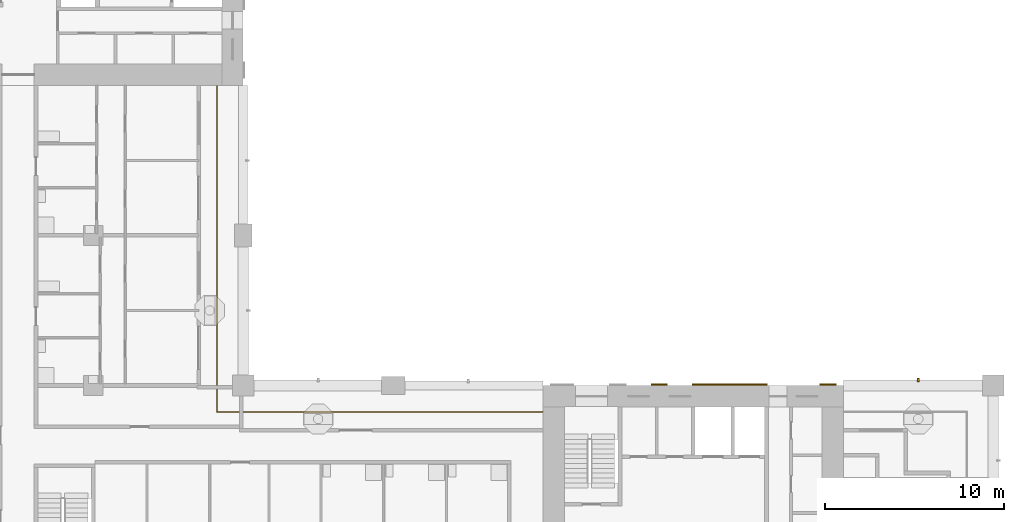
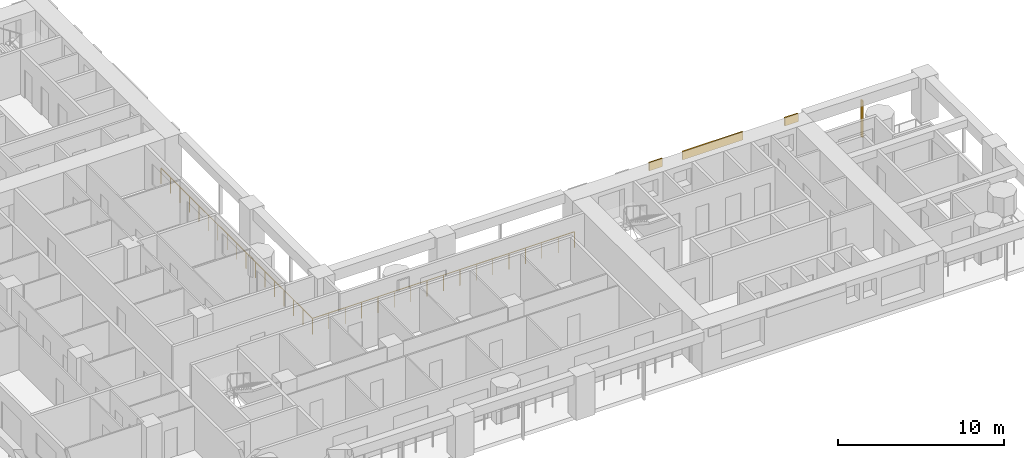
# One storey, part 14 of 19: 4 shading devices, 1 railing.
"""IFC4 building model written with IfcOpenShell, lengths in metres."""

from ifc_helpers import new_model, si_unit, direction, frame, origin, origin_2d, place, context, subcontext, project, spatial, rectangle, circle, extrude, material, layer, layer_set, material_profile, profile_set, type_object, element, save


model = new_model("IFC4")

# Units and contexts
model_context = context("Model", 3, precision=1e-05, world=origin(), true_north=direction((0.0, 1.0)))
body_context = subcontext(model_context, "Body", "Model", "MODEL_VIEW")
ifc_project = project(units=[si_unit("LENGTHUNIT", "METRE"), si_unit("AREAUNIT", "SQUARE_METRE"), si_unit("VOLUMEUNIT", "CUBIC_METRE"), si_unit("PLANEANGLEUNIT", "RADIAN"), si_unit("MASSUNIT", "GRAM", prefix="KILO")], contexts=[model_context])

# Site, building, storey
site_placement = place(None, origin())
site = spatial("IfcSite", under=ifc_project, at=site_placement, CompositionType="ELEMENT")
building_placement = place(site_placement, origin())
building = spatial("IfcBuilding", under=site, at=building_placement, Name="Vermilion Gate Residences", CompositionType="ELEMENT")
storey_placement = place(building_placement, frame((0.0, 0.0, 123.199951171875)))
storey = spatial("IfcBuildingStorey", under=building, at=storey_placement, Name="L31", CompositionType="ELEMENT", Elevation=123.199951171875)

# Railing
ifc_material_1 = material(Name="Stainless steel and toughened glass", Category="steel")
railing_type = type_object("IfcRailingType", Name="LOGGIA GUARD STEEL AND GLASS 1200", PredefinedType="GUARDRAIL", material=ifc_material_1)
railing_placement = place(storey_placement, frame((41.97802734375, 23.72509765625, 0.0)))
element("IfcRailing", 1, at=railing_placement, inside=storey, type_object=railing_type, Name="Loggia guard", PredefinedType="GUARDRAIL", context=body_context, shape_type="SweptSolid", body=[
    extrude(circle(Radius=0.030029296875, at=origin_2d()), frame((0.0, 0.0, 1.169921875), z_axis=(-1.0, 0.0, 0.0), x_axis=(0.0, -1.0, 0.0)), (0.0, 0.0, 1.0), 18.2529296875),
    extrude(circle(Radius=0.030029296875, at=origin_2d()), frame((-18.2529296875, 0.0, 1.169921875), z_axis=(0.0, 1.0, 0.0), x_axis=(-1.0, 0.0, 0.0)), (0.0, 0.0, 1.0), 18.2529296875),
    extrude(circle(Radius=0.02490234375, at=origin_2d()), origin(), (0.0, 0.0, 1.0), 1.139892578125),
    extrude(circle(Radius=0.02490234375, at=origin_2d()), frame((-1.140869140625, 0.0, 0.0)), (0.0, 0.0, 1.0), 1.139892578125),
    extrude(circle(Radius=0.02490234375, at=origin_2d()), frame((-2.28173828125, 0.0, 0.0)), (0.0, 0.0, 1.0), 1.139892578125),
    extrude(circle(Radius=0.02490234375, at=origin_2d()), frame((-3.42236328125, 0.0, 0.0)), (0.0, 0.0, 1.0), 1.139892578125),
    extrude(circle(Radius=0.02490234375, at=origin_2d()), frame((-4.563232421875, 0.0, 0.0)), (0.0, 0.0, 1.0), 1.139892578125),
    extrude(circle(Radius=0.02490234375, at=origin_2d()), frame((-5.7041015625, 0.0, 0.0)), (0.0, 0.0, 1.0), 1.139892578125),
    extrude(circle(Radius=0.02490234375, at=origin_2d()), frame((-6.8447265625, 0.0, 0.0)), (0.0, 0.0, 1.0), 1.139892578125),
    extrude(circle(Radius=0.02490234375, at=origin_2d()), frame((-7.985595703125, 0.0, 0.0)), (0.0, 0.0, 1.0), 1.139892578125),
    extrude(circle(Radius=0.02490234375, at=origin_2d()), frame((-9.12646484375, 0.0, 0.0)), (0.0, 0.0, 1.0), 1.139892578125),
    extrude(circle(Radius=0.02490234375, at=origin_2d()), frame((-10.267333984375, 0.0, 0.0)), (0.0, 0.0, 1.0), 1.139892578125),
    extrude(circle(Radius=0.02490234375, at=origin_2d()), frame((-11.408203125, 0.0, 0.0)), (0.0, 0.0, 1.0), 1.139892578125),
    extrude(circle(Radius=0.02490234375, at=origin_2d()), frame((-12.548828125, 0.0, 0.0)), (0.0, 0.0, 1.0), 1.139892578125),
    extrude(circle(Radius=0.02490234375, at=origin_2d()), frame((-13.689697265625, 0.0, 0.0)), (0.0, 0.0, 1.0), 1.139892578125),
    extrude(circle(Radius=0.02490234375, at=origin_2d()), frame((-14.83056640625, 0.0, 0.0)), (0.0, 0.0, 1.0), 1.139892578125),
    extrude(circle(Radius=0.02490234375, at=origin_2d()), frame((-15.97119140625, 0.0, 0.0)), (0.0, 0.0, 1.0), 1.139892578125),
    extrude(circle(Radius=0.02490234375, at=origin_2d()), frame((-17.112060546875, 0.0, 0.0)), (0.0, 0.0, 1.0), 1.139892578125),
    extrude(circle(Radius=0.02490234375, at=origin_2d()), frame((-18.2529296875, 0.0, 0.0)), (0.0, 0.0, 1.0), 1.139892578125),
    extrude(circle(Radius=0.02490234375, at=origin_2d()), frame((-18.2529296875, 1.140869140625, 0.0)), (0.0, 0.0, 1.0), 1.139892578125),
    extrude(circle(Radius=0.02490234375, at=origin_2d()), frame((-18.2529296875, 2.28173828125, 0.0)), (0.0, 0.0, 1.0), 1.139892578125),
    extrude(circle(Radius=0.02490234375, at=origin_2d()), frame((-18.2529296875, 3.42236328125, 0.0)), (0.0, 0.0, 1.0), 1.139892578125),
    extrude(circle(Radius=0.02490234375, at=origin_2d()), frame((-18.2529296875, 4.563232421875, 0.0)), (0.0, 0.0, 1.0), 1.139892578125),
    extrude(circle(Radius=0.02490234375, at=origin_2d()), frame((-18.2529296875, 5.7041015625, 0.0)), (0.0, 0.0, 1.0), 1.139892578125),
    extrude(circle(Radius=0.02490234375, at=origin_2d()), frame((-18.2529296875, 6.8447265625, 0.0)), (0.0, 0.0, 1.0), 1.139892578125),
    extrude(circle(Radius=0.02490234375, at=origin_2d()), frame((-18.2529296875, 7.985595703125, 0.0)), (0.0, 0.0, 1.0), 1.139892578125),
    extrude(circle(Radius=0.02490234375, at=origin_2d()), frame((-18.2529296875, 9.12646484375, 0.0)), (0.0, 0.0, 1.0), 1.139892578125),
    extrude(circle(Radius=0.02490234375, at=origin_2d()), frame((-18.2529296875, 10.267333984375, 0.0)), (0.0, 0.0, 1.0), 1.139892578125),
    extrude(circle(Radius=0.02490234375, at=origin_2d()), frame((-18.2529296875, 11.408203125, 0.0)), (0.0, 0.0, 1.0), 1.139892578125),
    extrude(circle(Radius=0.02490234375, at=origin_2d()), frame((-18.2529296875, 12.548828125, 0.0)), (0.0, 0.0, 1.0), 1.139892578125),
    extrude(circle(Radius=0.02490234375, at=origin_2d()), frame((-18.2529296875, 13.689697265625, 0.0)), (0.0, 0.0, 1.0), 1.139892578125),
    extrude(circle(Radius=0.02490234375, at=origin_2d()), frame((-18.2529296875, 14.83056640625, 0.0)), (0.0, 0.0, 1.0), 1.139892578125),
    extrude(circle(Radius=0.02490234375, at=origin_2d()), frame((-18.2529296875, 15.97119140625, 0.0)), (0.0, 0.0, 1.0), 1.139892578125),
    extrude(circle(Radius=0.02490234375, at=origin_2d()), frame((-18.2529296875, 17.112060546875, 0.0)), (0.0, 0.0, 1.0), 1.139892578125),
    extrude(circle(Radius=0.02490234375, at=origin_2d()), frame((-18.2529296875, 18.2529296875, 0.0)), (0.0, 0.0, 1.0), 1.139892578125),
])

# Shading devices
ifc_material_2 = material(Name="Extruded terracotta", Category="masonry")
ifc_material_profile = material_profile(ifc_material_2, rectangle(XDim=0.199951171875, YDim=0.10009765625, at=origin_2d()), Name="BAGUETTE 100 X 200")
ifc_profile_set = profile_set([ifc_material_profile], Name="Extruded terracotta")
shading_device_type_1 = type_object("IfcShadingDeviceType", Name="TERRACOTTA BAGUETTE 100 X 200", PredefinedType="JALOUSIE", material=ifc_profile_set)
shading_device_1_placement = place(storey_placement, frame((63.0, 25.5, -0.280029296875), z_axis=(0.0, 0.0, 1.0), x_axis=(0.0, -1.0, 0.0)))
element("IfcShadingDevice", 2, at=shading_device_1_placement, inside=storey, type_object=shading_device_type_1, Name="BAGUETTE", PredefinedType="JALOUSIE", context=body_context, shape_type="SweptSolid", body=[
    extrude(rectangle(XDim=0.199951171875, YDim=0.10009765625, at=origin_2d()), origin(), (0.0, 0.0, 1.0), 2.7001953125),
])
ifc_material_3 = material(Name="Extruded terracotta", Category="masonry")
ifc_layer = layer(ifc_material_3, 0.10009765625)
ifc_layer_set = layer_set([ifc_layer], Name="TERRACOTTA SPANDREL BAND 600 X 100")
shading_device_type_2 = type_object("IfcShadingDeviceType", Name="TERRACOTTA SPANDREL BAND 600 X 100", PredefinedType="USERDEFINED", material=ifc_layer_set)
shading_device_2_placement = place(storey_placement, frame((48.49365234375, 25.25, 2.6201171875), z_axis=(0.0, 0.0, 1.0), x_axis=(1.0, 0.0, 0.0)))
element("IfcShadingDevice", 3, at=shading_device_2_placement, inside=storey, type_object=shading_device_type_2, Name="SPANDREL BAND", ObjectType="BAND", PredefinedType="USERDEFINED", context=body_context, shape_type="SweptSolid", body=[
    extrude(rectangle(XDim=0.91259765625, YDim=0.10009765625, at=origin_2d()), origin(), (0.0, 0.0, 1.0), 0.60009765625),
])
shading_device_3_placement = place(storey_placement, frame((52.449951171875, 25.25, 2.6201171875), z_axis=(0.0, 0.0, 1.0), x_axis=(1.0, 0.0, 0.0)))
element("IfcShadingDevice", 4, at=shading_device_3_placement, inside=storey, type_object=shading_device_type_2, Name="SPANDREL BAND", ObjectType="BAND", PredefinedType="USERDEFINED", context=body_context, shape_type="SweptSolid", body=[
    extrude(rectangle(XDim=4.199951171875, YDim=0.10009765625, at=origin_2d()), origin(), (0.0, 0.0, 1.0), 0.60009765625),
])
shading_device_4_placement = place(storey_placement, frame((57.9375, 25.25, 2.6201171875), z_axis=(0.0, 0.0, 1.0), x_axis=(1.0, 0.0, 0.0)))
element("IfcShadingDevice", 5, at=shading_device_4_placement, inside=storey, type_object=shading_device_type_2, Name="SPANDREL BAND", ObjectType="BAND", PredefinedType="USERDEFINED", context=body_context, shape_type="SweptSolid", body=[
    extrude(rectangle(XDim=0.925048828125, YDim=0.10009765625, at=origin_2d()), origin(), (0.0, 0.0, 1.0), 0.60009765625),
])

save(model, "model.ifc")
